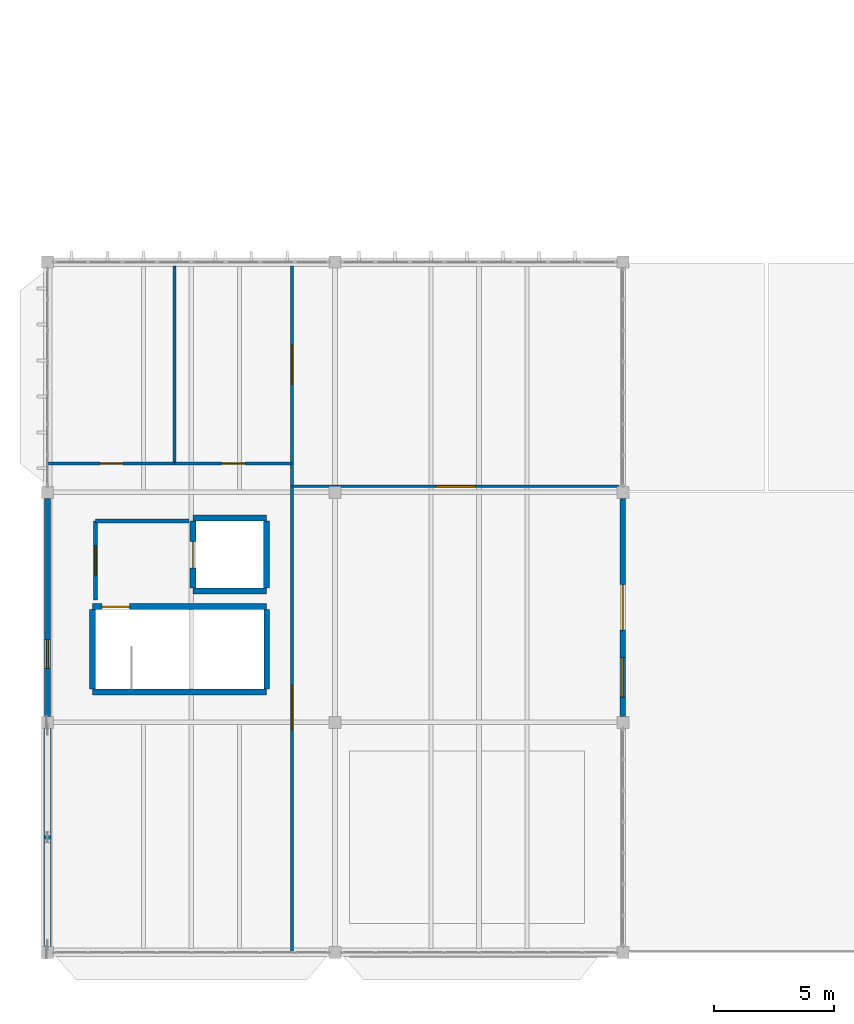
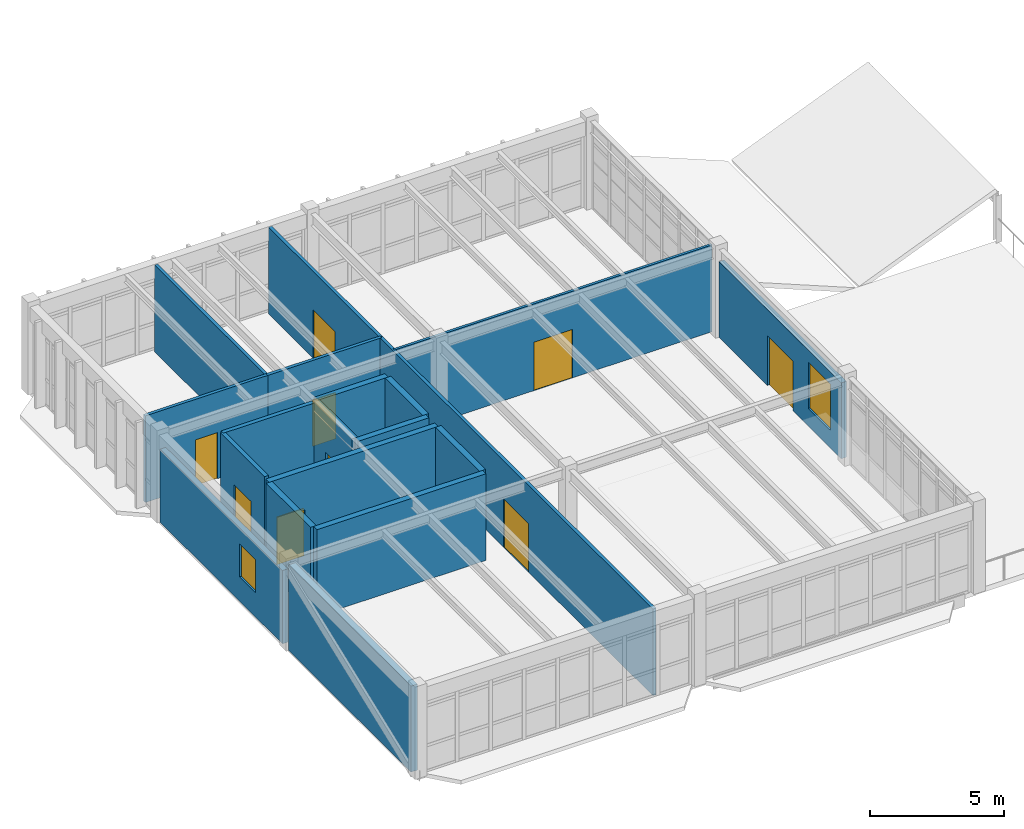
# One storey, part 72 of 83: 19 walls, 9 doors, 2 windows, 11 openings.
"""IFC4 building model written with IfcOpenShell, lengths in metres."""

from ifc_helpers import new_model, si_unit, direction, frame, frame_2d, origin, place, context, subcontext, project, spatial, rectangle, extrude, material, layer, layer_set, type_object, element, fill, save


model = new_model("IFC4")

# Units and contexts
model_context = context("Model", 3, precision=1e-05, world=origin(), true_north=direction((0.0, 1.0)))
body_context = subcontext(model_context, "Body", "Model", "MODEL_VIEW")
ifc_project = project(units=[si_unit("LENGTHUNIT", "METRE"), si_unit("AREAUNIT", "SQUARE_METRE"), si_unit("VOLUMEUNIT", "CUBIC_METRE"), si_unit("PLANEANGLEUNIT", "RADIAN"), si_unit("MASSUNIT", "GRAM", prefix="KILO")], contexts=[model_context])

# Site, building, storey
site_placement = place(None, origin())
site = spatial("IfcSite", under=ifc_project, at=site_placement, CompositionType="ELEMENT")
building_placement = place(site_placement, origin())
building = spatial("IfcBuilding", under=site, at=building_placement, Name="Pandanus Reach Market Hall", CompositionType="ELEMENT")
storey_placement = place(building_placement, frame((0.0, 0.0, 10.199951171875)))
storey = spatial("IfcBuildingStorey", under=building, at=storey_placement, Name="L02", CompositionType="ELEMENT", Elevation=10.199951171875)

# Wall
ifc_material_1 = material(Name="Concrete N40 (40 MPa)", Category="concrete")
ifc_layer_1 = layer(ifc_material_1, 0.25, Name="WL-CORE-250")
ifc_layer_set_1 = layer_set([ifc_layer_1], Name="Concrete N40 (40 MPa)")
wall_type_1 = type_object("IfcWallType", Name="WL-CORE-250", PredefinedType="SHEAR", material=ifc_layer_set_1)
wall_1_placement = place(storey_placement, frame((1.875, 10.875, 0.0), z_axis=(0.0, 0.0, 1.0), x_axis=(1.0, 0.0, 0.0)))
element("IfcWall", 1, at=wall_1_placement, inside=storey, type_object=wall_type_1, Name="Internal wall WL-CORE-250 WL-0350", PredefinedType="SHEAR", context=body_context, shape_type="SweptSolid", body=[
    extrude(rectangle(XDim=7.27001953125, YDim=0.25, at=frame_2d((3.635009765625, 0.0))), origin(), (0.0, 0.0, 1.0), 3.93994140625),
])

# Wall, opening, door
wall_2_placement = place(storey_placement, frame((1.875, 14.425048828125, 0.0), z_axis=(0.0, 0.0, 1.0), x_axis=(1.0, 0.0, 0.0)))
wall_2 = element("IfcWall", 2, at=wall_2_placement, inside=storey, type_object=wall_type_1, Name="Internal wall WL-CORE-250 WL-0351", PredefinedType="SHEAR", context=body_context, shape_type="SweptSolid", body=[
    extrude(rectangle(XDim=7.27001953125, YDim=0.25, at=frame_2d((3.635009765625, 0.0))), origin(), (0.0, 0.0, 1.0), 3.93994140625),
])
opening_1_placement = place(wall_2_placement, frame((0.39990234375, 0.0, 0.0)))
opening_1 = element("IfcOpeningElement", 3, at=opening_1_placement, cuts=wall_2, Name="Opening DR-FD1", PredefinedType="OPENING", context=body_context, shape_type="SweptSolid", body=[
    extrude(rectangle(XDim=1.14990234375, YDim=2.14990234375, at=frame_2d((0.574951171875, 1.074951171875))), frame((0.0, 0.139892578125, 0.0), z_axis=(0.0, -1.0, 0.0), x_axis=(1.0, 0.0, 0.0)), (0.0, 0.0, 1.0), 0.280029296875),
])
ifc_material_2 = material(Name="Fire-rated steel door", Category="steel")
door_type_1 = type_object("IfcDoorType", Name="DR-FD1", OperationType="NOTDEFINED", PredefinedType="DOOR", material=ifc_material_2)
door_1_placement = place(opening_1_placement, frame((1.14990234375, 0.0, 0.0), z_axis=(0.0, 0.0, 1.0), x_axis=(-1.0, 0.0, 0.0)))
door_1 = element("IfcDoor", 4, at=door_1_placement, inside=storey, type_object=door_type_1, Name="Fire stair door ST-04 L02", OperationType="SINGLE_SWING_RIGHT", OverallHeight=2.14990234375, OverallWidth=1.14990234375, PredefinedType="DOOR", context=body_context, shape_type="SweptSolid", body=[
    extrude(rectangle(XDim=1.14990234375, YDim=2.14990234375, at=frame_2d((0.574951171875, 1.074951171875))), frame((0.0, 0.02490234375, 0.0), z_axis=(0.0, -1.0, 0.0), x_axis=(1.0, 0.0, 0.0)), (0.0, 0.0, 1.0), 0.050048828125),
])
fill(opening_1, door_1)

# Walls
for number, where, z_axis, x_axis, name in (
    (5, (1.875, 11.0, 0.0), (0.0, 0.0, 1.0), (0.0, 1.0, 0.0), "Internal wall WL-CORE-250 WL-0352"),
    (6, (9.14501953125, 11.0, 0.0), (0.0, 0.0, 1.0), (0.0, 1.0, 0.0), "Internal wall WL-CORE-250 WL-0353"),
):
    element("IfcWall", number, at=place(storey_placement, frame(where, z_axis=z_axis, x_axis=x_axis)), inside=storey, type_object=wall_type_1, Name=name, PredefinedType="SHEAR", context=body_context, shape_type="SweptSolid", body=[
        extrude(rectangle(XDim=3.300048828125, YDim=0.25, at=frame_2d((1.64990234375, 0.0))), origin(), (0.0, 0.0, 1.0), 3.93994140625),
    ])
for number, where, z_axis, x_axis, name in (
    (7, (6.074951171875, 15.074951171875, 0.0), (0.0, 0.0, 1.0), (1.0, 0.0, 0.0), "Internal wall WL-CORE-250 WL-0354"),
    (8, (6.074951171875, 18.125, 0.0), (0.0, 0.0, 1.0), (1.0, 0.0, 0.0), "Internal wall WL-CORE-250 WL-0355"),
):
    element("IfcWall", number, at=place(storey_placement, frame(where, z_axis=z_axis, x_axis=x_axis)), inside=storey, type_object=wall_type_1, Name=name, PredefinedType="SHEAR", context=body_context, shape_type="SweptSolid", body=[
        extrude(rectangle(XDim=3.050048828125, YDim=0.25, at=frame_2d((1.52490234375, 0.0))), origin(), (0.0, 0.0, 1.0), 3.93994140625),
    ])
wall_3_placement = place(storey_placement, frame((9.125, 15.199951171875, 0.0), z_axis=(0.0, 0.0, 1.0), x_axis=(0.0, 1.0, 0.0)))
element("IfcWall", 9, at=wall_3_placement, inside=storey, type_object=wall_type_1, Name="Internal wall WL-CORE-250 WL-0356", PredefinedType="SHEAR", context=body_context, shape_type="SweptSolid", body=[
    extrude(rectangle(XDim=2.800048828125, YDim=0.25, at=frame_2d((1.39990234375, 0.0))), origin(), (0.0, 0.0, 1.0), 3.93994140625),
])

# Wall, opening, door
wall_4_placement = place(storey_placement, frame((6.074951171875, 15.199951171875, 0.0), z_axis=(0.0, 0.0, 1.0), x_axis=(0.0, 1.0, 0.0)))
wall_4 = element("IfcWall", 10, at=wall_4_placement, inside=storey, type_object=wall_type_1, Name="Internal wall WL-CORE-250 WL-0357", PredefinedType="SHEAR", context=body_context, shape_type="SweptSolid", body=[
    extrude(rectangle(XDim=2.800048828125, YDim=0.25, at=frame_2d((1.39990234375, 0.0))), origin(), (0.0, 0.0, 1.0), 3.93994140625),
])
opening_2_placement = place(wall_4_placement, frame((0.85009765625, 0.0, 0.0)))
opening_2 = element("IfcOpeningElement", 11, at=opening_2_placement, cuts=wall_4, Name="Opening LD-01", PredefinedType="OPENING", context=body_context, shape_type="SweptSolid", body=[
    extrude(rectangle(XDim=1.10009765625, YDim=2.14990234375, at=frame_2d((0.550048828125, 1.074951171875))), frame((0.0, 0.139892578125, 0.0), z_axis=(0.0, -1.0, 0.0), x_axis=(1.0, 0.0, 0.0)), (0.0, 0.0, 1.0), 0.280029296875),
])
ifc_material_3 = material(Name="Stainless steel lift landing door", Category="steel")
door_type_2 = type_object("IfcDoorType", Name="LD-01", OperationType="SLIDING_TO_LEFT", PredefinedType="DOOR", material=ifc_material_3)
door_2_placement = place(opening_2_placement, origin())
door_2 = element("IfcDoor", 12, at=door_2_placement, inside=storey, type_object=door_type_2, Name="Lift landing door LF-04 LD-01 63", OperationType="SLIDING_TO_LEFT", OverallHeight=2.14990234375, OverallWidth=1.10009765625, PredefinedType="DOOR", context=body_context, shape_type="SweptSolid", body=[
    extrude(rectangle(XDim=1.10009765625, YDim=2.14990234375, at=frame_2d((0.550048828125, 1.074951171875))), frame((0.0, 0.02490234375, 0.0), z_axis=(0.0, -1.0, 0.0), x_axis=(1.0, 0.0, 0.0)), (0.0, 0.0, 1.0), 0.050048828125),
])
fill(opening_2, door_2)

# Wall, openings, door, window
ifc_material_4 = material(Name="Precast concrete S50 (50 MPa)", Category="concrete")
ifc_layer_2 = layer(ifc_material_4, 0.219970703125, Name="WL-EXT-220")
ifc_layer_set_2 = layer_set([ifc_layer_2], Name="Precast concrete S50 (50 MPa)")
wall_type_2 = type_object("IfcWallType", Name="WL-EXT-220", PredefinedType="SOLIDWALL", material=ifc_layer_set_2)
wall_5_placement = place(storey_placement, frame((24.0, 9.85009765625, 0.0), z_axis=(0.0, 0.0, 1.0), x_axis=(0.0, 1.0, 0.0)))
wall_5 = element("IfcWall", 13, at=wall_5_placement, inside=storey, type_object=wall_type_2, Name="External wall WL-EXT-220 WL-0085", PredefinedType="SOLIDWALL", context=body_context, shape_type="SweptSolid", body=[
    extrude(rectangle(XDim=9.099853515625, YDim=0.219970703125, at=frame_2d((4.5498046875, 0.0))), origin(), (0.0, 0.0, 1.0), 3.442626953125),
])
opening_3_placement = place(wall_5_placement, frame((3.60009765625, 0.0, 0.0)))
opening_3 = element("IfcOpeningElement", 14, at=opening_3_placement, cuts=wall_5, Name="Opening TD-190", PredefinedType="OPENING", context=body_context, shape_type="SweptSolid", body=[
    extrude(rectangle(XDim=1.89990234375, YDim=2.25, at=frame_2d((0.949951171875, 1.125))), frame((0.0, 0.125, 0.0), z_axis=(0.0, -1.0, 0.0), x_axis=(1.0, 0.0, 0.0)), (0.0, 0.0, 1.0), 0.25),
])
opening_4_placement = place(wall_5_placement, frame((0.800048828125, 0.0, 0.800048828125)))
opening_4 = element("IfcOpeningElement", 15, at=opening_4_placement, cuts=wall_5, Name="Opening WN-11", PredefinedType="OPENING", context=body_context, shape_type="SweptSolid", body=[
    extrude(rectangle(XDim=1.64990234375, YDim=2.10009765625, at=frame_2d((0.824951171875, 1.050048828125))), frame((0.0, 0.125, 0.0), z_axis=(0.0, -1.0, 0.0), x_axis=(1.0, 0.0, 0.0)), (0.0, 0.0, 1.0), 0.25),
])
ifc_material_5 = material(Name="Bronze anodised aluminium", Category="aluminium")
door_type_3 = type_object("IfcDoorType", Name="TD-190", OperationType="DOUBLE_DOOR_SINGLE_SWING", PredefinedType="DOOR", material=ifc_material_5)
door_3_placement = place(opening_3_placement, frame((1.89990234375, 0.0, 0.0), z_axis=(0.0, 0.0, 1.0), x_axis=(-1.0, 0.0, 0.0)))
door_3 = element("IfcDoor", 16, at=door_3_placement, inside=storey, type_object=door_type_3, Name="Park verandah dining door L02 TD-190 24", OperationType="DOUBLE_DOOR_SINGLE_SWING", OverallHeight=2.25, OverallWidth=1.89990234375, PredefinedType="DOOR", context=body_context, shape_type="SweptSolid", body=[
    extrude(rectangle(XDim=1.89990234375, YDim=2.25, at=frame_2d((0.949951171875, 1.125))), frame((0.0, 0.02490234375, 0.0), z_axis=(0.0, -1.0, 0.0), x_axis=(1.0, 0.0, 0.0)), (0.0, 0.0, 1.0), 0.050048828125),
])
fill(opening_3, door_3)
ifc_material_6 = material(Name="Solar-control double glazing", Category="glass")
window_type_1 = type_object("IfcWindowType", Name="WN-11", PartitioningType="SINGLE_PANEL", PredefinedType="WINDOW", material=ifc_material_6)
window_1_placement = place(opening_4_placement, origin())
window_1 = element("IfcWindow", 17, at=window_1_placement, inside=storey, type_object=window_type_1, Name="Window WN-11 43", OverallHeight=2.10009765625, OverallWidth=1.64990234375, PartitioningType="SINGLE_PANEL", PredefinedType="WINDOW", context=body_context, shape_type="SweptSolid", body=[
    extrude(rectangle(XDim=1.64990234375, YDim=2.10009765625, at=frame_2d((0.824951171875, 1.050048828125))), frame((0.0, 0.030029296875, 0.0), z_axis=(0.0, -1.0, 0.0), x_axis=(1.0, 0.0, 0.0)), (0.0, 0.0, 1.0), 0.06005859375),
])
fill(opening_4, window_1)

# Wall, opening, window
ifc_layer_3 = layer(ifc_material_4, 0.239990234375, Name="WL-EXT-240")
ifc_layer_set_3 = layer_set([ifc_layer_3], Name="Precast concrete S50 (50 MPa)")
wall_type_3 = type_object("IfcWallType", Name="WL-EXT-240", PredefinedType="SOLIDWALL", material=ifc_layer_set_3)
wall_6_placement = place(storey_placement, frame((0.0, 9.85009765625, 0.0), z_axis=(0.0, 0.0, 1.0), x_axis=(0.0, 1.0, 0.0)))
wall_6 = element("IfcWall", 18, at=wall_6_placement, inside=storey, type_object=wall_type_3, Name="External wall WL-EXT-240 WL-0084", PredefinedType="SOLIDWALL", context=body_context, shape_type="SweptSolid", body=[
    extrude(rectangle(XDim=9.099853515625, YDim=0.239990234375, at=frame_2d((4.5498046875, 0.0))), origin(), (0.0, 0.0, 1.0), 3.325927734375),
])
opening_5_placement = place(wall_6_placement, frame((2.0, 0.0, 1.10009765625)))
opening_5 = element("IfcOpeningElement", 19, at=opening_5_placement, cuts=wall_6, Name="Opening WN-15", PredefinedType="OPENING", context=body_context, shape_type="SweptSolid", body=[
    extrude(rectangle(XDim=1.199951171875, YDim=1.5, at=frame_2d((0.60009765625, 0.75))), frame((0.0, 0.135009765625, 0.0), z_axis=(0.0, -1.0, 0.0), x_axis=(1.0, 0.0, 0.0)), (0.0, 0.0, 1.0), 0.27001953125),
])
window_type_2 = type_object("IfcWindowType", Name="WN-15", PartitioningType="SINGLE_PANEL", PredefinedType="WINDOW", material=ifc_material_6)
window_2_placement = place(opening_5_placement, origin())
window_2 = element("IfcWindow", 20, at=window_2_placement, inside=storey, type_object=window_type_2, Name="Window WN-15 42", OverallHeight=1.5, OverallWidth=1.199951171875, PartitioningType="SINGLE_PANEL", PredefinedType="WINDOW", context=body_context, shape_type="SweptSolid", body=[
    extrude(rectangle(XDim=1.199951171875, YDim=1.5, at=frame_2d((0.60009765625, 0.75))), frame((0.0, 0.030029296875, 0.0), z_axis=(0.0, -1.0, 0.0), x_axis=(1.0, 0.0, 0.0)), (0.0, 0.0, 1.0), 0.06005859375),
])
fill(opening_5, window_2)

# Wall
ifc_layer_4 = layer(ifc_material_4, 0.280029296875, Name="WL-EXT-280")
ifc_layer_set_4 = layer_set([ifc_layer_4], Name="Precast concrete S50 (50 MPa)")
wall_type_4 = type_object("IfcWallType", Name="WL-EXT-280", PredefinedType="SOLIDWALL", material=ifc_layer_set_4)
wall_7_placement = place(storey_placement, frame((0.0, 0.25, 0.0), z_axis=(0.0, 0.0, 1.0), x_axis=(0.0, 1.0, 0.0)))
element("IfcWall", 21, at=wall_7_placement, inside=storey, type_object=wall_type_4, Name="External wall WL-EXT-280 WL-0083", PredefinedType="SOLIDWALL", context=body_context, shape_type="SweptSolid", body=[
    extrude(rectangle(XDim=9.10009765625, YDim=0.280029296875, at=frame_2d((4.550048828125, 0.0))), origin(), (0.0, 0.0, 1.0), 3.900146484375),
])

# Wall, opening, door
ifc_layer_5 = layer(ifc_material_1, 0.175048828125, Name="WL-LOB-175")
ifc_layer_set_5 = layer_set([ifc_layer_5], Name="Concrete N40 (40 MPa)")
wall_type_5 = type_object("IfcWallType", Name="WL-LOB-175", PredefinedType="PARTITIONING", material=ifc_layer_set_5)
wall_8_placement = place(storey_placement, frame((2.0, 14.699951171875, 0.0), z_axis=(0.0, 0.0, 1.0), x_axis=(0.0, 1.0, 0.0)))
wall_8 = element("IfcWall", 22, at=wall_8_placement, inside=storey, type_object=wall_type_5, Name="Internal wall WL-LOB-175 WL-0358", PredefinedType="PARTITIONING", context=body_context, shape_type="SweptSolid", body=[
    extrude(rectangle(XDim=3.300048828125, YDim=0.175048828125, at=frame_2d((1.64990234375, 0.0))), origin(), (0.0, 0.0, 1.0), 3.93994140625),
])
opening_6_placement = place(wall_8_placement, frame((1.02490234375, 0.0, 0.0)))
opening_6 = element("IfcOpeningElement", 23, at=opening_6_placement, cuts=wall_8, Name="Opening DR-FD2", PredefinedType="OPENING", context=body_context, shape_type="SweptSolid", body=[
    extrude(rectangle(XDim=1.25, YDim=2.199951171875, at=frame_2d((0.625, 1.10009765625))), frame((0.0, 0.1025390625, 0.0), z_axis=(0.0, -1.0, 0.0), x_axis=(1.0, 0.0, 0.0)), (0.0, 0.0, 1.0), 0.205078125),
])
door_type_4 = type_object("IfcDoorType", Name="DR-FD2", OperationType="NOTDEFINED", PredefinedType="DOOR", material=ifc_material_2)
door_4_placement = place(opening_6_placement, frame((1.25, 0.0, 0.0), z_axis=(0.0, 0.0, 1.0), x_axis=(-1.0, 0.0, 0.0)))
door_4 = element("IfcDoor", 24, at=door_4_placement, inside=storey, type_object=door_type_4, Name="Core C4 lobby fire door DR-FD2 64", OperationType="SINGLE_SWING_LEFT", OverallHeight=2.199951171875, OverallWidth=1.25, PredefinedType="DOOR", context=body_context, shape_type="SweptSolid", body=[
    extrude(rectangle(XDim=1.25, YDim=2.199951171875, at=frame_2d((0.625, 1.10009765625))), frame((0.0, 0.02490234375, 0.0), z_axis=(0.0, -1.0, 0.0), x_axis=(1.0, 0.0, 0.0)), (0.0, 0.0, 1.0), 0.050048828125),
])
fill(opening_6, door_4)

# Wall
wall_9_placement = place(storey_placement, frame((2.0, 18.0, 0.0), z_axis=(0.0, 0.0, 1.0), x_axis=(1.0, 0.0, 0.0)))
element("IfcWall", 25, at=wall_9_placement, inside=storey, type_object=wall_type_5, Name="Internal wall WL-LOB-175 WL-0359", PredefinedType="PARTITIONING", context=body_context, shape_type="SweptSolid", body=[
    extrude(rectangle(XDim=3.89990234375, YDim=0.175048828125, at=frame_2d((1.949951171875, 0.0))), origin(), (0.0, 0.0, 1.0), 3.93994140625),
])

# Wall, opening, door
ifc_material_7 = material(Name="Acoustic operable timber-clad partition", Category="wood")
ifc_layer_6 = layer(ifc_material_7, 0.110107421875, Name="WL-MOV-110")
ifc_layer_set_6 = layer_set([ifc_layer_6], Name="Acoustic operable timber-clad partition")
wall_type_6 = type_object("IfcWallType", Name="WL-MOV-110", PredefinedType="MOVABLE", material=ifc_layer_set_6)
wall_10_placement = place(storey_placement, frame((10.199951171875, 19.449951171875, 0.0), z_axis=(0.0, 0.0, 1.0), x_axis=(1.0, 0.0, 0.0)))
wall_10 = element("IfcWall", 26, at=wall_10_placement, inside=storey, type_object=wall_type_6, Name="Internal wall WL-MOV-110 WL-0539", PredefinedType="MOVABLE", context=body_context, shape_type="SweptSolid", body=[
    extrude(rectangle(XDim=13.650146484375, YDim=0.110107421875, at=frame_2d((6.8251953125, 0.0))), origin(), (0.0, 0.0, 1.0), 3.93994140625),
])
opening_7_placement = place(wall_10_placement, frame((6.0, 0.0, 0.0)))
opening_7 = element("IfcOpeningElement", 27, at=opening_7_placement, cuts=wall_10, Name="Opening DR-I16", PredefinedType="OPENING", context=body_context, shape_type="SweptSolid", body=[
    extrude(rectangle(XDim=1.64990234375, YDim=2.199951171875, at=frame_2d((0.824951171875, 1.10009765625))), frame((0.0, 0.070068359375, 0.0), z_axis=(0.0, -1.0, 0.0), x_axis=(1.0, 0.0, 0.0)), (0.0, 0.0, 1.0), 0.14013671875),
])
ifc_material_8 = material(Name="Double glazed culinary studio door")
door_type_5 = type_object("IfcDoorType", Name="DR-I16", OperationType="DOUBLE_DOOR_SINGLE_SWING", PredefinedType="DOOR", material=ifc_material_8)
door_5_placement = place(opening_7_placement, origin())
door_5 = element("IfcDoor", 28, at=door_5_placement, inside=storey, type_object=door_type_5, Name="Cupping tasting operable wall door DR-I16 149", OperationType="DOUBLE_DOOR_SINGLE_SWING", OverallHeight=2.199951171875, OverallWidth=1.64990234375, PredefinedType="DOOR", context=body_context, shape_type="SweptSolid", body=[
    extrude(rectangle(XDim=1.64990234375, YDim=2.199951171875, at=frame_2d((0.824951171875, 1.10009765625))), frame((0.0, 0.02490234375, 0.0), z_axis=(0.0, -1.0, 0.0), x_axis=(1.0, 0.0, 0.0)), (0.0, 0.0, 1.0), 0.050048828125),
])
fill(opening_7, door_5)

ifc_material_9 = material(Name="Moisture-resistant plasterboard partition", Category="gypsum")
ifc_layer_7 = layer(ifc_material_9, 0.135009765625, Name="WL-PRT-135")
ifc_layer_set_7 = layer_set([ifc_layer_7], Name="Moisture-resistant plasterboard partition")
wall_type_7 = type_object("IfcWallType", Name="WL-PRT-135", PredefinedType="PARTITIONING", material=ifc_layer_set_7)
wall_11_placement = place(storey_placement, frame((10.199951171875, 0.0400390625, 0.0), z_axis=(0.0, 0.0, 1.0), x_axis=(0.0, 1.0, 0.0)))
wall_11 = element("IfcWall", 29, at=wall_11_placement, inside=storey, type_object=wall_type_7, Name="Internal wall WL-PRT-135 WL-0538", PredefinedType="PARTITIONING", context=body_context, shape_type="SweptSolid", body=[
    extrude(rectangle(XDim=20.35986328125, YDim=0.135009765625, at=frame_2d((10.179931640625, 0.0))), origin(), (0.0, 0.0, 1.0), 3.93994140625),
])
opening_8_placement = place(wall_11_placement, frame((9.2548828125, 0.0, 0.0)))
opening_8 = element("IfcOpeningElement", 30, at=opening_8_placement, cuts=wall_11, Name="Opening DR-I18", PredefinedType="OPENING", context=body_context, shape_type="SweptSolid", body=[
    extrude(rectangle(XDim=1.85009765625, YDim=2.199951171875, at=frame_2d((0.925048828125, 1.10009765625))), frame((0.0, 0.08251953125, 0.0), z_axis=(0.0, -1.0, 0.0), x_axis=(1.0, 0.0, 0.0)), (0.0, 0.0, 1.0), 0.1650390625),
])
ifc_material_10 = material(Name="Double market gallery swing door")
door_type_6 = type_object("IfcDoorType", Name="DR-I18", OperationType="DOUBLE_DOOR_SINGLE_SWING", PredefinedType="DOOR", material=ifc_material_10)
door_6_placement = place(opening_8_placement, origin())
door_6 = element("IfcDoor", 31, at=door_6_placement, inside=storey, type_object=door_type_6, Name="Roastery hall foyer door DR-I18 148", OperationType="DOUBLE_DOOR_SINGLE_SWING", OverallHeight=2.199951171875, OverallWidth=1.85009765625, PredefinedType="DOOR", context=body_context, shape_type="SweptSolid", body=[
    extrude(rectangle(XDim=1.85009765625, YDim=2.199951171875, at=frame_2d((0.925048828125, 1.10009765625))), frame((0.0, 0.02490234375, 0.0), z_axis=(0.0, -1.0, 0.0), x_axis=(1.0, 0.0, 0.0)), (0.0, 0.0, 1.0), 0.050048828125),
])
fill(opening_8, door_6)

wall_12_placement = place(storey_placement, frame((10.199951171875, 20.39990234375, 0.0), z_axis=(0.0, 0.0, 1.0), x_axis=(0.0, 1.0, 0.0)))
wall_12 = element("IfcWall", 32, at=wall_12_placement, inside=storey, type_object=wall_type_7, Name="Internal wall WL-PRT-135 WL-0540", PredefinedType="PARTITIONING", context=body_context, shape_type="SweptSolid", body=[
    extrude(rectangle(XDim=8.25, YDim=0.135009765625, at=frame_2d((4.125, 0.0))), origin(), (0.0, 0.0, 1.0), 3.93994140625),
])
opening_9_placement = place(wall_12_placement, frame((3.300048828125, 0.0, 0.0)))
opening_9 = element("IfcOpeningElement", 33, at=opening_9_placement, cuts=wall_12, Name="Opening DR-I16", PredefinedType="OPENING", context=body_context, shape_type="SweptSolid", body=[
    extrude(rectangle(XDim=1.64990234375, YDim=2.199951171875, at=frame_2d((0.824951171875, 1.10009765625))), frame((0.0, 0.08251953125, 0.0), z_axis=(0.0, -1.0, 0.0), x_axis=(1.0, 0.0, 0.0)), (0.0, 0.0, 1.0), 0.1650390625),
])
door_7_placement = place(opening_9_placement, origin())
door_7 = element("IfcDoor", 34, at=door_7_placement, inside=storey, type_object=door_type_5, Name="Cupping room foyer door DR-I16 150", OperationType="DOUBLE_DOOR_SINGLE_SWING", OverallHeight=2.199951171875, OverallWidth=1.64990234375, PredefinedType="DOOR", context=body_context, shape_type="SweptSolid", body=[
    extrude(rectangle(XDim=1.64990234375, YDim=2.199951171875, at=frame_2d((0.824951171875, 1.10009765625))), frame((0.0, 0.02490234375, 0.0), z_axis=(0.0, -1.0, 0.0), x_axis=(1.0, 0.0, 0.0)), (0.0, 0.0, 1.0), 0.050048828125),
])
fill(opening_9, door_7)

# Wall
wall_13_placement = place(storey_placement, frame((5.300048828125, 20.39990234375, 0.0), z_axis=(0.0, 0.0, 1.0), x_axis=(0.0, 1.0, 0.0)))
element("IfcWall", 35, at=wall_13_placement, inside=storey, type_object=wall_type_7, Name="Internal wall WL-PRT-135 WL-0541", PredefinedType="PARTITIONING", context=body_context, shape_type="SweptSolid", body=[
    extrude(rectangle(XDim=8.25, YDim=0.135009765625, at=frame_2d((4.125, 0.0))), origin(), (0.0, 0.0, 1.0), 3.93994140625),
])

# Wall, opening, door
wall_14_placement = place(storey_placement, frame((0.0400390625, 20.39990234375, 0.0), z_axis=(0.0, 0.0, 1.0), x_axis=(1.0, 0.0, 0.0)))
wall_14 = element("IfcWall", 36, at=wall_14_placement, inside=storey, type_object=wall_type_7, Name="Internal wall WL-PRT-135 WL-0542", PredefinedType="PARTITIONING", context=body_context, shape_type="SweptSolid", body=[
    extrude(rectangle(XDim=5.260009765625, YDim=0.135009765625, at=frame_2d((2.6298828125, 0.0))), origin(), (0.0, 0.0, 1.0), 3.93994140625),
])
opening_10_placement = place(wall_14_placement, frame((2.155029296875, 0.0, 0.0)))
opening_10 = element("IfcOpeningElement", 37, at=opening_10_placement, cuts=wall_14, Name="Opening DR-I09", PredefinedType="OPENING", context=body_context, shape_type="SweptSolid", body=[
    extrude(rectangle(XDim=0.949951171875, YDim=2.10009765625, at=frame_2d((0.47509765625, 1.050048828125))), frame((0.0, 0.08251953125, 0.0), z_axis=(0.0, -1.0, 0.0), x_axis=(1.0, 0.0, 0.0)), (0.0, 0.0, 1.0), 0.1650390625),
])
ifc_material_11 = material(Name="Solid-core hardwood timber door", Category="wood")
door_type_7 = type_object("IfcDoorType", Name="DR-I09", OperationType="NOTDEFINED", PredefinedType="DOOR", material=ifc_material_11)
door_8_placement = place(opening_10_placement, origin())
door_8 = element("IfcDoor", 38, at=door_8_placement, inside=storey, type_object=door_type_7, Name="Roastery WC door DR-I09 151", OperationType="SINGLE_SWING_RIGHT", OverallHeight=2.10009765625, OverallWidth=0.949951171875, PredefinedType="DOOR", context=body_context, shape_type="SweptSolid", body=[
    extrude(rectangle(XDim=0.949951171875, YDim=2.10009765625, at=frame_2d((0.47509765625, 1.050048828125))), frame((0.0, 0.02490234375, 0.0), z_axis=(0.0, -1.0, 0.0), x_axis=(1.0, 0.0, 0.0)), (0.0, 0.0, 1.0), 0.050048828125),
])
fill(opening_10, door_8)

wall_15_placement = place(storey_placement, frame((5.300048828125, 20.39990234375, 0.0), z_axis=(0.0, 0.0, 1.0), x_axis=(1.0, 0.0, 0.0)))
wall_15 = element("IfcWall", 39, at=wall_15_placement, inside=storey, type_object=wall_type_7, Name="Internal wall WL-PRT-135 WL-0543", PredefinedType="PARTITIONING", context=body_context, shape_type="SweptSolid", body=[
    extrude(rectangle(XDim=4.89990234375, YDim=0.135009765625, at=frame_2d((2.449951171875, 0.0))), origin(), (0.0, 0.0, 1.0), 3.93994140625),
])
opening_11_placement = place(wall_15_placement, frame((1.949951171875, 0.0, 0.0)))
opening_11 = element("IfcOpeningElement", 40, at=opening_11_placement, cuts=wall_15, Name="Opening DR-I10", PredefinedType="OPENING", context=body_context, shape_type="SweptSolid", body=[
    extrude(rectangle(XDim=1.0, YDim=2.10009765625, at=frame_2d((0.5, 1.050048828125))), frame((0.0, 0.08251953125, 0.0), z_axis=(0.0, -1.0, 0.0), x_axis=(1.0, 0.0, 0.0)), (0.0, 0.0, 1.0), 0.1650390625),
])
ifc_material_12 = material(Name="Accessible unisex WC timber door", Category="wood")
door_type_8 = type_object("IfcDoorType", Name="DR-I10", OperationType="NOTDEFINED", PredefinedType="DOOR", material=ifc_material_12)
door_9_placement = place(opening_11_placement, origin())
door_9 = element("IfcDoor", 41, at=door_9_placement, inside=storey, type_object=door_type_8, Name="Roastery accessible WC door DR-I10 152", OperationType="SINGLE_SWING_LEFT", OverallHeight=2.10009765625, OverallWidth=1.0, PredefinedType="DOOR", context=body_context, shape_type="SweptSolid", body=[
    extrude(rectangle(XDim=1.0, YDim=2.10009765625, at=frame_2d((0.5, 1.050048828125))), frame((0.0, 0.02490234375, 0.0), z_axis=(0.0, -1.0, 0.0), x_axis=(1.0, 0.0, 0.0)), (0.0, 0.0, 1.0), 0.050048828125),
])
fill(opening_11, door_9)

save(model, "model.ifc")
